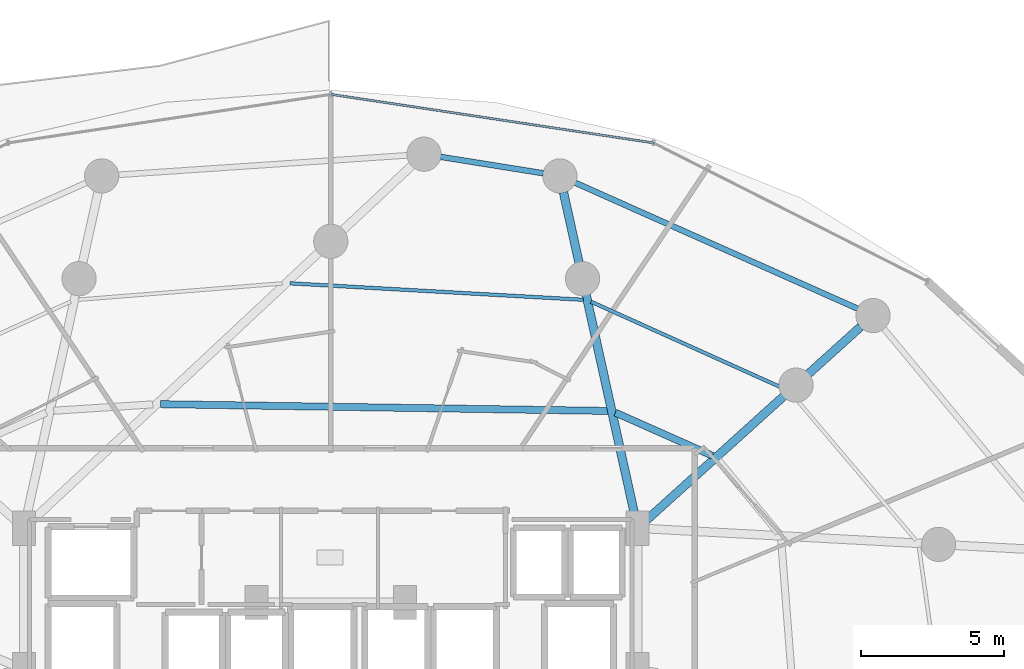
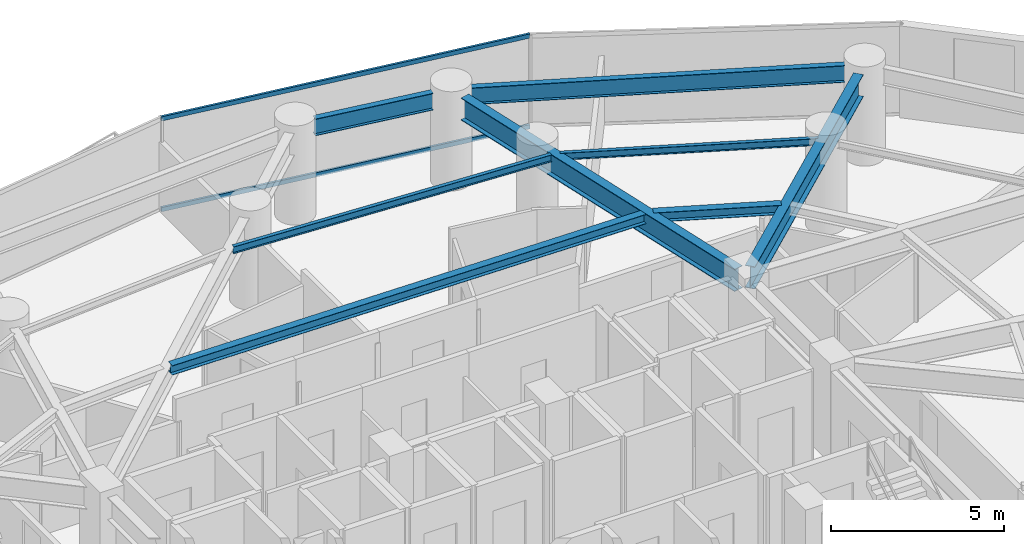
# One storey, part 23 of 35: 8 beams, 2 members, 1 element without a shape of its own.
"""IFC4 building model written with IfcOpenShell, lengths in metres."""

from ifc_helpers import new_model, si_unit, direction, frame, origin, origin_2d, place, context, subcontext, project, spatial, hollow_rectangle, i_section, extrude, material, material_profile, profile_set, type_object, element, aggregate, save


model = new_model("IFC4")

# Units and contexts
model_context = context("Model", 3, precision=1e-05, world=origin(), true_north=direction((0.0, 1.0)))
body_context = subcontext(model_context, "Body", "Model", "MODEL_VIEW")
ifc_project = project(units=[si_unit("LENGTHUNIT", "METRE"), si_unit("AREAUNIT", "SQUARE_METRE"), si_unit("VOLUMEUNIT", "CUBIC_METRE"), si_unit("PLANEANGLEUNIT", "RADIAN"), si_unit("MASSUNIT", "GRAM", prefix="KILO")], contexts=[model_context])

# Site, building, storey
site_placement = place(None, origin())
site = spatial("IfcSite", under=ifc_project, at=site_placement, CompositionType="ELEMENT")
building_placement = place(site_placement, origin())
building = spatial("IfcBuilding", under=site, at=building_placement, Name="Vorneva Point Tower", CompositionType="ELEMENT")
storey_placement = place(building_placement, frame((0.0, 0.0, 52.0)))
storey = spatial("IfcBuildingStorey", under=building, at=storey_placement, Name="L13", CompositionType="ELEMENT", Elevation=52.0)

# Beams
ifc_material_1 = material(Name="Steel S355", Category="steel")
ifc_material_profile_1 = material_profile(ifc_material_1, i_section(OverallWidth=0.300048828125, OverallDepth=0.7880859375, WebThickness=0.014404296875, FlangeThickness=0.02197265625, at=origin_2d()), Name="80Sh1")
ifc_profile_set_1 = profile_set([ifc_material_profile_1], Name="Steel S355")
beam_type_1 = type_object("IfcBeamType", Name="BM-GRD-80Sh1", PredefinedType="USERDEFINED", material=ifc_profile_set_1)
beam_1_placement = place(storey_placement, frame((56.56103515625, 40.205810546875, 2.845947265625), z_axis=(-0.742076105577, -0.670315637243, 0.0), x_axis=(0.670315637243, -0.742076105577, 0.0)))
element("IfcBeam", 1, at=beam_1_placement, inside=storey, type_object=beam_type_1, Name="L13 Radial Primary Girder 03", ObjectType="GIRDER", PredefinedType="USERDEFINED", context=body_context, shape_type="SweptSolid", body=[
    extrude(i_section(OverallWidth=0.300048828125, OverallDepth=0.7880859375, WebThickness=0.014404296875, FlangeThickness=0.02197265625, at=origin_2d()), origin(), (0.0, 0.0, 1.0), 10.18603515625),
])
beam_2_placement = place(storey_placement, frame((46.15283203125, 44.91748046875, 2.845947265625), z_axis=(0.215521919097, -0.976499002759, 0.0), x_axis=(0.976499002759, 0.215521919097, 0.0)))
element("IfcBeam", 2, at=beam_2_placement, inside=storey, type_object=beam_type_1, Name="L13 Radial Primary Girder 04", ObjectType="GIRDER", PredefinedType="USERDEFINED", context=body_context, shape_type="SweptSolid", body=[
    extrude(i_section(OverallWidth=0.300048828125, OverallDepth=0.7880859375, WebThickness=0.014404296875, FlangeThickness=0.02197265625, at=origin_2d()), origin(), (0.0, 0.0, 1.0), 11.710693359375),
])
ifc_material_profile_2 = material_profile(ifc_material_1, i_section(OverallWidth=0.1240234375, OverallDepth=0.248046875, WebThickness=0.0048828125, FlangeThickness=0.008056640625, at=origin_2d()), Name="25B1")
ifc_profile_set_2 = profile_set([ifc_material_profile_2], Name="Steel S355")
beam_type_2 = type_object("IfcBeamType", Name="BM-JST-25B1", PredefinedType="JOIST", material=ifc_profile_set_2)
beam_3_placement = place(storey_placement, frame((53.94091796875, 38.00927734375, 3.115966796875), z_axis=(-0.911700003406, 0.41085654892, 0.0), x_axis=(-0.41085654892, -0.911700003406, 0.0)))
element("IfcBeam", 3, at=beam_3_placement, inside=storey, type_object=beam_type_2, Name="L13 Secondary Floor Beam 1.03", PredefinedType="JOIST", context=body_context, shape_type="SweptSolid", body=[
    extrude(i_section(OverallWidth=0.1240234375, OverallDepth=0.248046875, WebThickness=0.0048828125, FlangeThickness=0.008056640625, at=origin_2d()), origin(), (0.0, 0.0, 1.0), 7.49072265625),
])
beam_4_placement = place(storey_placement, frame((46.847900390625, 41.151611328125, 3.115966796875), z_axis=(-0.998427775921, 0.056053334153, 0.0), x_axis=(-0.056053334153, -0.998427775921, 0.0)))
element("IfcBeam", 4, at=beam_4_placement, inside=storey, type_object=beam_type_2, Name="L13 Secondary Floor Beam 1.04", PredefinedType="JOIST", context=body_context, shape_type="SweptSolid", body=[
    extrude(i_section(OverallWidth=0.1240234375, OverallDepth=0.248046875, WebThickness=0.0048828125, FlangeThickness=0.008056640625, at=origin_2d()), origin(), (0.0, 0.0, 1.0), 10.2919921875),
])
ifc_material_profile_3 = material_profile(ifc_material_1, i_section(OverallWidth=0.2490234375, OverallDepth=0.333984375, WebThickness=0.008056640625, FlangeThickness=0.010986328125, at=origin_2d()), Name="35Sh1")
ifc_profile_set_3 = profile_set([ifc_material_profile_3], Name="Steel S355")
beam_type_3 = type_object("IfcBeamType", Name="BM-SEC-35Sh1", PredefinedType="BEAM", material=ifc_profile_set_3)
beam_5_placement = place(storey_placement, frame((51.37060546875, 35.687255859375, 3.072998046875), z_axis=(-0.913706020961, 0.406375820221, 0.0), x_axis=(-0.406375820221, -0.913706020961, 0.0)))
element("IfcBeam", 5, at=beam_5_placement, inside=storey, type_object=beam_type_3, Name="L13 Secondary Floor Beam 2.03", PredefinedType="BEAM", context=body_context, shape_type="SweptSolid", body=[
    extrude(i_section(OverallWidth=0.2490234375, OverallDepth=0.333984375, WebThickness=0.008056640625, FlangeThickness=0.010986328125, at=origin_2d()), origin(), (0.0, 0.0, 1.0), 3.721923828125),
])
beam_6_placement = place(storey_placement, frame((47.705810546875, 37.2578125, 3.072998046875), z_axis=(-0.999885560728, 0.015128299538, 0.0), x_axis=(-0.015128299538, -0.999885560728, 0.0)))
element("IfcBeam", 6, at=beam_6_placement, inside=storey, type_object=beam_type_3, Name="L13 Secondary Floor Beam 2.04", PredefinedType="BEAM", context=body_context, shape_type="SweptSolid", body=[
    extrude(i_section(OverallWidth=0.2490234375, OverallDepth=0.333984375, WebThickness=0.008056640625, FlangeThickness=0.010986328125, at=origin_2d()), origin(), (0.0, 0.0, 1.0), 15.669921875),
])
ifc_material_profile_4 = material_profile(ifc_material_1, i_section(OverallWidth=0.198974609375, OverallDepth=0.595947265625, WebThickness=0.010009765625, FlangeThickness=0.014892578125, at=origin_2d()), Name="60B1")
ifc_profile_set_4 = profile_set([ifc_material_profile_4], Name="Steel S355")
beam_type_4 = type_object("IfcBeamType", Name="BM-SPN-60B1", PredefinedType="SPANDREL", material=ifc_profile_set_4)
beam_7_placement = place(storey_placement, frame((56.463134765625, 40.837890625, 2.94189453125), z_axis=(-0.913318750016, 0.407245455309, 0.0), x_axis=(-0.407245455309, -0.913318750016, 0.0)))
element("IfcBeam", 7, at=beam_7_placement, inside=storey, type_object=beam_type_4, Name="L13 Perimeter Spandrel Ring Beam 03", PredefinedType="SPANDREL", context=body_context, shape_type="SweptSolid", body=[
    extrude(i_section(OverallWidth=0.198974609375, OverallDepth=0.595947265625, WebThickness=0.010009765625, FlangeThickness=0.014892578125, at=origin_2d()), origin(), (0.0, 0.0, 1.0), 10.842529296875),
])
beam_8_placement = place(storey_placement, frame((45.448486328125, 45.583984375, 2.94189453125), z_axis=(-0.987472321528, 0.157792313549, 0.0), x_axis=(-0.157792313549, -0.987472321528, 0.0)))
element("IfcBeam", 8, at=beam_8_placement, inside=storey, type_object=beam_type_4, Name="L13 Perimeter Spandrel Ring Beam 04", PredefinedType="SPANDREL", context=body_context, shape_type="SweptSolid", body=[
    extrude(i_section(OverallWidth=0.198974609375, OverallDepth=0.595947265625, WebThickness=0.010009765625, FlangeThickness=0.014892578125, at=origin_2d()), origin(), (0.0, 0.0, 1.0), 3.6513671875),
])

# Curtain wall, members
ifc_material_2 = material(Name="Pale anodised aluminium", Category="aluminium")
curtain_wall_type = type_object("IfcCurtainWallType", Name="CW-HTL-SYS", PredefinedType="NOTDEFINED", material=ifc_material_2)
curtain_wall_placement = place(storey_placement, origin())
curtain_wall = element("IfcCurtainWall", 9, at=curtain_wall_placement, inside=storey, type_object=curtain_wall_type, Name="L13 Unitised Curtain Wall CW-L13-R02", PredefinedType="NOTDEFINED")
ifc_material_profile_5 = material_profile(ifc_material_2, hollow_rectangle(XDim=0.074951171875, YDim=0.14990234375, WallThickness=0.00390625, at=origin_2d()), Name="AL-TRN 150x75x4")
ifc_profile_set_5 = profile_set([ifc_material_profile_5], Name="Pale anodised aluminium")
member_type = type_object("IfcMemberType", Name="CW-TRN-150", PredefinedType="USERDEFINED", material=ifc_profile_set_5)
member_1_placement = place(storey_placement, frame((49.308349609375, 46.648681640625, 0.02001953125), z_axis=(-0.988870014575, 0.148782036131, 0.0), x_axis=(-0.148782036131, -0.988870014575, 0.0)))
member_1 = element("IfcMember", 10, at=member_1_placement, type_object=member_type, Name="CW-L13-R02 Transom 02.1", ObjectType="TRANSOM", PredefinedType="USERDEFINED", context=body_context, shape_type="SweptSolid", body=[
    extrude(hollow_rectangle(XDim=0.074951171875, YDim=0.14990234375, WallThickness=0.00390625, at=origin_2d()), origin(), (0.0, 0.0, 1.0), 11.435546875),
])
member_2_placement = place(storey_placement, frame((49.308349609375, 46.648681640625, 3.219970703125), z_axis=(-0.988870014575, 0.148782036131, 0.0), x_axis=(-0.148782036131, -0.988870014575, 0.0)))
member_2 = element("IfcMember", 11, at=member_2_placement, type_object=member_type, Name="CW-L13-R02 Transom 02.2", ObjectType="TRANSOM", PredefinedType="USERDEFINED", context=body_context, shape_type="SweptSolid", body=[
    extrude(hollow_rectangle(XDim=0.074951171875, YDim=0.14990234375, WallThickness=0.00390625, at=origin_2d()), origin(), (0.0, 0.0, 1.0), 11.435546875),
])
aggregate(curtain_wall, [member_1, member_2])

save(model, "model.ifc")
